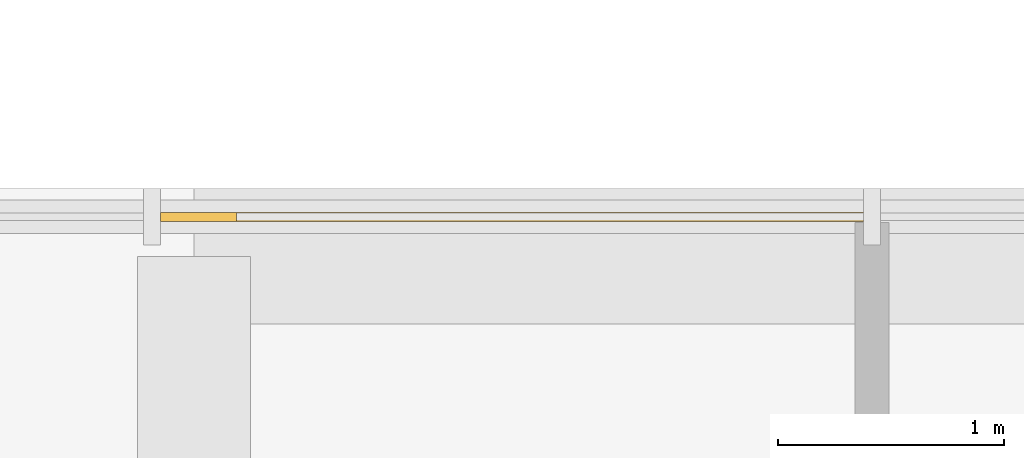
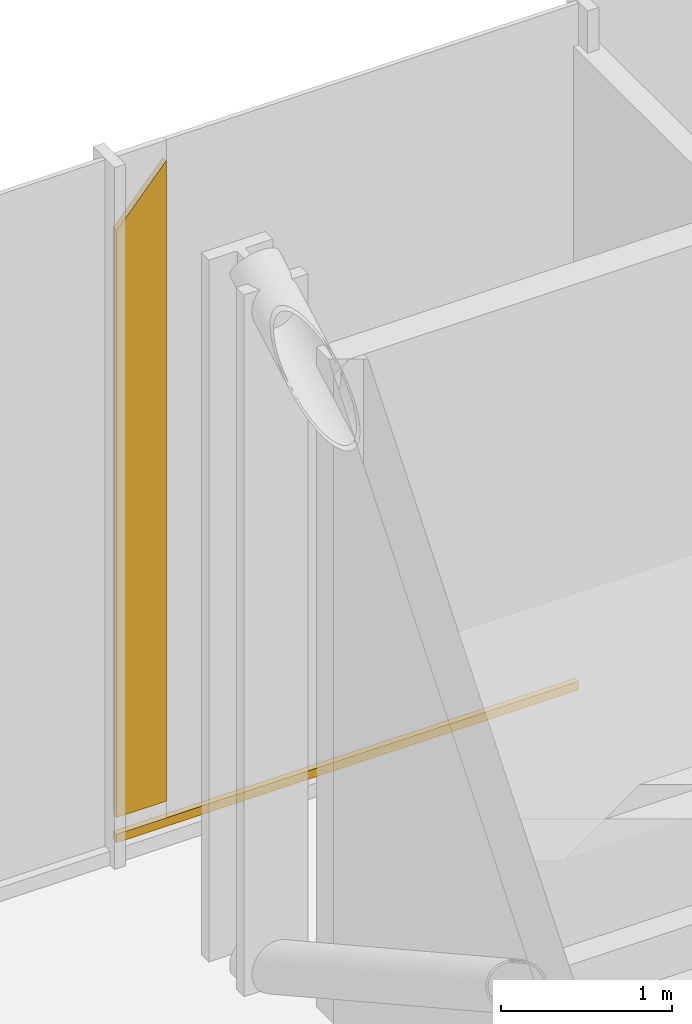
# One storey, part 22 of 25: 2 coverings.
"""IFC4 building model written with IfcOpenShell, lengths in metres."""

from ifc_helpers import new_model, si_unit, direction, frame, origin, place, context, subcontext, project, spatial, polyline, outline, extrude, material, layer, layer_set, type_object, element, save


model = new_model("IFC4")

# Units and contexts
model_context = context("Model", 3, precision=1e-05, world=origin(), true_north=direction((0.0, 1.0)))
body_context = subcontext(model_context, "Body", "Model", "MODEL_VIEW")
ifc_project = project(units=[si_unit("LENGTHUNIT", "METRE"), si_unit("AREAUNIT", "SQUARE_METRE"), si_unit("VOLUMEUNIT", "CUBIC_METRE"), si_unit("PLANEANGLEUNIT", "RADIAN"), si_unit("MASSUNIT", "GRAM", prefix="KILO")], contexts=[model_context])

# Site, building, storey
site_placement = place(None, origin())
site = spatial("IfcSite", under=ifc_project, at=site_placement, CompositionType="ELEMENT")
building_placement = place(site_placement, origin())
building = spatial("IfcBuilding", under=site, at=building_placement, Name="Malebo Sky Hospital", CompositionType="ELEMENT")
storey_placement = place(building_placement, frame((0.0, 0.0, 6.0)))
storey = spatial("IfcBuildingStorey", under=building, at=storey_placement, Name="L01", CompositionType="ELEMENT", Elevation=6.0)

# Coverings
ifc_material = material(Name="Anodised aluminium, natural silver insulated infill panel", Category="aluminium")
ifc_layer = layer(ifc_material, 0.0400390625)
ifc_layer_set = layer_set([ifc_layer], Name="BRACE INFILL PANEL 40")
covering_type = type_object("IfcCoveringType", Name="BRACE INFILL PANEL 40", PredefinedType="CLADDING", material=ifc_layer_set)
covering_1_placement = place(storey_placement, frame((15.51953125, 85.875, 0.2802734375), z_axis=(0.0, 0.0, 1.0), x_axis=(-1.0, 0.0, 0.0)))
element("IfcCovering", 1, at=covering_1_placement, inside=storey, type_object=covering_type, Name="Brace infill panel 6.1", PredefinedType="CLADDING", context=body_context, shape_type="SweptSolid", body=[
    extrude(outline(polyline([(-0.167724609375, 0.0), (0.16796875, 0.0), (0.16796875, 4.18017578125), (-0.167724609375, 4.56396484375), (-0.167724609375, 0.0)])), frame((0.0, 0.02001953125, 0.0), z_axis=(0.0, -1.0, 0.0), x_axis=(1.0, 0.0, 0.0)), (0.0, 0.0, 1.0), 0.0400390625),
])
covering_2_placement = place(storey_placement, frame((16.908935546875, 85.875, 0.10009765625), z_axis=(0.0, 0.0, 1.0), x_axis=(-1.0, 0.0, 0.0)))
element("IfcCovering", 2, at=covering_2_placement, inside=storey, type_object=covering_type, Name="Brace infill panel 6.2", PredefinedType="CLADDING", context=body_context, shape_type="SweptSolid", body=[
    extrude(outline(polyline([(-1.55712890625, 0.0), (1.55712890625, 0.0), (1.55712890625, 0.060302734375), (-1.55712890625, 0.060302734375), (-1.55712890625, 0.0)])), frame((0.0, 0.02001953125, 0.0), z_axis=(0.0, -1.0, 0.0), x_axis=(1.0, 0.0, 0.0)), (0.0, 0.0, 1.0), 0.0400390625),
])

save(model, "model.ifc")
